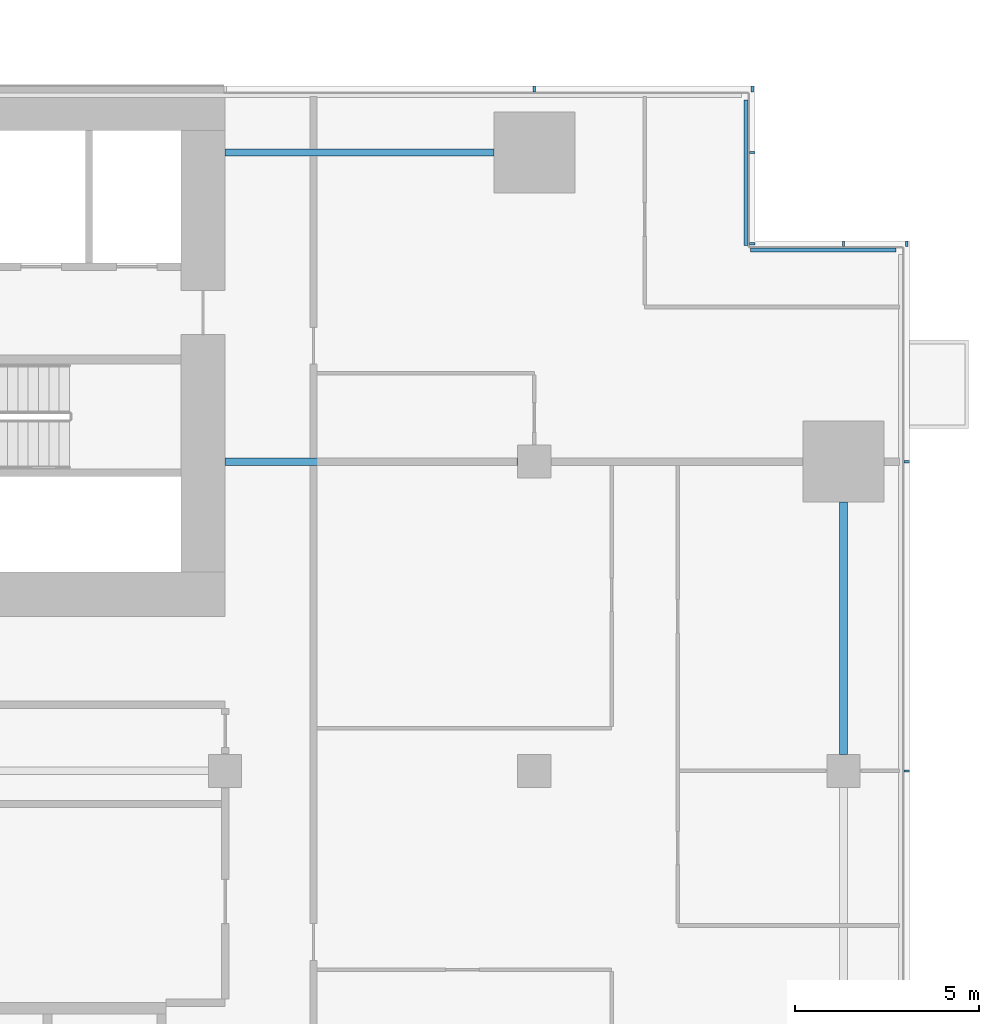
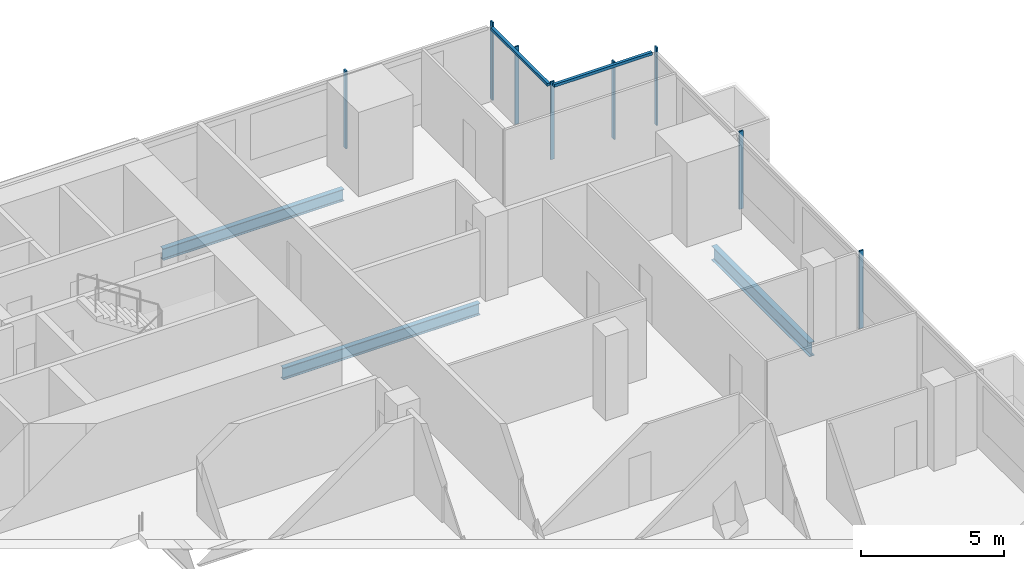
# One storey, part 13 of 26: 10 members, 3 beams, 4 elements without a shape of their own.
"""IFC4 building model written with IfcOpenShell, lengths in metres."""

from ifc_helpers import new_model, si_unit, direction, frame, origin, origin_2d, place, context, subcontext, project, spatial, rectangle, i_section, extrude, material, material_profile, profile_set, type_object, element, aggregate, save


model = new_model("IFC4")

# Units and contexts
model_context = context("Model", 3, precision=1e-05, world=origin(), true_north=direction((0.0, 1.0)))
body_context = subcontext(model_context, "Body", "Model", "MODEL_VIEW")
ifc_project = project(units=[si_unit("LENGTHUNIT", "METRE"), si_unit("AREAUNIT", "SQUARE_METRE"), si_unit("VOLUMEUNIT", "CUBIC_METRE"), si_unit("PLANEANGLEUNIT", "RADIAN"), si_unit("MASSUNIT", "GRAM", prefix="KILO")], contexts=[model_context])

# Site, building, storey
site_placement = place(None, origin())
site = spatial("IfcSite", under=ifc_project, at=site_placement, CompositionType="ELEMENT")
building_placement = place(site_placement, origin())
building = spatial("IfcBuilding", under=site, at=building_placement, Name="Saffron Gate Tower", CompositionType="ELEMENT")
storey_placement = place(building_placement, frame((0.0, 0.0, 62.39990234375)))
storey = spatial("IfcBuildingStorey", under=building, at=storey_placement, Name="L14", CompositionType="ELEMENT", Elevation=62.39990234375)

# Beams
ifc_material_1 = material(Name="Structural steel S355", Category="steel")
ifc_material_profile_1 = material_profile(ifc_material_1, i_section(OverallWidth=0.199951171875, OverallDepth=0.5, WebThickness=0.01025390625, FlangeThickness=0.01611328125, FilletRadius=0.02099609375, at=origin_2d()))
ifc_profile_set_1 = profile_set([ifc_material_profile_1], Name="Structural steel S355")
beam_type_1 = type_object("IfcBeamType", Name="B10 IPE 500", PredefinedType="BEAM", material=ifc_profile_set_1)
beam_1_placement = place(storey_placement, frame((116.550048828125, 65.39990234375, -0.52978515625), z_axis=(-1.0, 0.0, 0.0), x_axis=(0.0, -1.0, 0.0)))
element("IfcBeam", 1, at=beam_1_placement, inside=storey, type_object=beam_type_1, Name="B10 CORE TIE BEAM", PredefinedType="BEAM", context=body_context, shape_type="SweptSolid", body=[
    extrude(i_section(OverallWidth=0.199951171875, OverallDepth=0.5, WebThickness=0.01025390625, FlangeThickness=0.01611328125, FilletRadius=0.02099609375, at=origin_2d()), origin(), (0.0, 0.0, 1.0), 7.949951171875),
])
beam_2_placement = place(storey_placement, frame((115.89990234375, 73.800048828125, -0.52978515625), z_axis=(-1.0, 0.0, 0.0), x_axis=(0.0, -1.0, 0.0)))
element("IfcBeam", 2, at=beam_2_placement, inside=storey, type_object=beam_type_1, Name="B10 CORE TIE BEAM", PredefinedType="BEAM", context=body_context, shape_type="SweptSolid", body=[
    extrude(i_section(OverallWidth=0.199951171875, OverallDepth=0.5, WebThickness=0.01025390625, FlangeThickness=0.01611328125, FilletRadius=0.02099609375, at=origin_2d()), origin(), (0.0, 0.0, 1.0), 7.2998046875),
])
ifc_material_profile_2 = material_profile(ifc_material_1, i_section(OverallWidth=0.219970703125, OverallDepth=0.60009765625, WebThickness=0.011962890625, FlangeThickness=0.01904296875, FilletRadius=0.02392578125, at=origin_2d()))
ifc_profile_set_2 = profile_set([ifc_material_profile_2], Name="Structural steel S355")
beam_type_2 = type_object("IfcBeamType", Name="B16 IPE 600", PredefinedType="SPANDREL", material=ifc_profile_set_2)
beam_3_placement = place(storey_placement, frame((125.39990234375, 57.449951171875, -0.579833984375), z_axis=(0.0, 1.0, 0.0), x_axis=(-1.0, 0.0, 0.0)))
element("IfcBeam", 3, at=beam_3_placement, inside=storey, type_object=beam_type_2, Name="B16 SPANDREL BEAM", PredefinedType="SPANDREL", context=body_context, shape_type="SweptSolid", body=[
    extrude(i_section(OverallWidth=0.219970703125, OverallDepth=0.60009765625, WebThickness=0.011962890625, FlangeThickness=0.01904296875, FilletRadius=0.02392578125, at=origin_2d()), origin(), (0.0, 0.0, 1.0), 6.85009765625),
])

# Curtain wall, members
ifc_material_2 = material(Name="Aluminium, bronze anodised", Category="aluminium")
curtain_wall_type_1 = type_object("IfcCurtainWallType", Name="CWS2 curtain wall side facades", PredefinedType="NOTDEFINED", material=ifc_material_2)
curtain_wall_1_placement = place(storey_placement, origin())
curtain_wall_1 = element("IfcCurtainWall", 4, at=curtain_wall_1_placement, inside=storey, type_object=curtain_wall_type_1, Name="CWS2 run 4", PredefinedType="NOTDEFINED")
ifc_material_profile_3 = material_profile(ifc_material_2, rectangle(XDim=0.159912109375, YDim=0.06005859375, at=origin_2d()))
ifc_profile_set_3 = profile_set([ifc_material_profile_3], Name="Aluminium, bronze anodised")
member_type_1 = type_object("IfcMemberType", Name="CWS2 mullion 60x160", PredefinedType="MULLION", material=ifc_profile_set_3)
member_1_placement = place(storey_placement, frame((127.1201171875, 57.0, 0.0), z_axis=(0.0, 0.0, 1.0), x_axis=(-1.0, 0.0, 0.0)))
member_1 = element("IfcMember", 5, at=member_1_placement, type_object=member_type_1, Name="CWS2 mullion 4", PredefinedType="MULLION", context=body_context, shape_type="SweptSolid", body=[
    extrude(rectangle(XDim=0.159912109375, YDim=0.06005859375, at=origin_2d()), origin(), (0.0, 0.0, 1.0), 3.320068359375),
])
member_2_placement = place(storey_placement, frame((127.1201171875, 65.39990234375, 0.0), z_axis=(0.0, 0.0, 1.0), x_axis=(-1.0, 0.0, 0.0)))
member_2 = element("IfcMember", 6, at=member_2_placement, type_object=member_type_1, Name="CWS2 mullion 5", PredefinedType="MULLION", context=body_context, shape_type="SweptSolid", body=[
    extrude(rectangle(XDim=0.159912109375, YDim=0.06005859375, at=origin_2d()), origin(), (0.0, 0.0, 1.0), 3.320068359375),
])
aggregate(curtain_wall_1, [member_1, member_2])

curtain_wall_type_2 = type_object("IfcCurtainWallType", Name="CWS3 curtain wall rear facade", PredefinedType="NOTDEFINED", material=ifc_material_2)
curtain_wall_2_placement = place(storey_placement, origin())
curtain_wall_2 = element("IfcCurtainWall", 7, at=curtain_wall_2_placement, inside=storey, type_object=curtain_wall_type_2, Name="CWS3 run 7", PredefinedType="NOTDEFINED")
ifc_material_profile_4 = material_profile(ifc_material_2, rectangle(XDim=0.159912109375, YDim=0.070068359375, at=origin_2d()))
ifc_profile_set_4 = profile_set([ifc_material_profile_4], Name="Aluminium, bronze anodised")
member_type_2 = type_object("IfcMemberType", Name="CWS3 mullion 70x160", PredefinedType="MULLION", material=ifc_profile_set_4)
member_3_placement = place(storey_placement, frame((122.919921875, 75.52001953125, 0.0), z_axis=(0.0, 0.0, 1.0), x_axis=(0.0, -1.0, 0.0)))
member_3 = element("IfcMember", 8, at=member_3_placement, type_object=member_type_2, Name="CWS3 mullion 1", PredefinedType="MULLION", context=body_context, shape_type="SweptSolid", body=[
    extrude(rectangle(XDim=0.159912109375, YDim=0.070068359375, at=origin_2d()), origin(), (0.0, 0.0, 1.0), 3.320068359375),
])
member_4_placement = place(storey_placement, frame((117.0, 75.52001953125, 0.0), z_axis=(0.0, 0.0, 1.0), x_axis=(0.0, -1.0, 0.0)))
member_4 = element("IfcMember", 9, at=member_4_placement, type_object=member_type_2, Name="CWS3 mullion 2", PredefinedType="MULLION", context=body_context, shape_type="SweptSolid", body=[
    extrude(rectangle(XDim=0.159912109375, YDim=0.070068359375, at=origin_2d()), origin(), (0.0, 0.0, 1.0), 3.320068359375),
])
aggregate(curtain_wall_2, [member_3, member_4])

# Curtain wall, member
curtain_wall_type_3 = type_object("IfcCurtainWallType", Name="CWS4 curtain wall corner returns", PredefinedType="NOTDEFINED", material=ifc_material_2)
curtain_wall_3_placement = place(storey_placement, origin())
curtain_wall_3 = element("IfcCurtainWall", 10, at=curtain_wall_3_placement, inside=storey, type_object=curtain_wall_type_3, Name="CWS4 run 5", PredefinedType="NOTDEFINED")
ifc_material_profile_5 = material_profile(ifc_material_2, rectangle(XDim=0.1201171875, YDim=0.1201171875, at=origin_2d()))
ifc_profile_set_5 = profile_set([ifc_material_profile_5], Name="Aluminium, bronze anodised")
member_type_3 = type_object("IfcMemberType", Name="CWS4 head transom", PredefinedType="USERDEFINED", material=ifc_profile_set_5)
member_5_placement = place(storey_placement, frame((126.83203125, 71.152099609375, 3.260009765625), z_axis=(-1.0, 0.0, 0.0), x_axis=(0.0, -1.0, 0.0)))
member_5 = element("IfcMember", 11, at=member_5_placement, type_object=member_type_3, Name="CWS4 head transom", ObjectType="TRANSOM", PredefinedType="USERDEFINED", context=body_context, shape_type="SweptSolid", body=[
    extrude(rectangle(XDim=0.1201171875, YDim=0.1201171875, at=origin_2d()), origin(), (0.0, 0.0, 1.0), 3.9599609375),
])

curtain_wall_4_placement = place(storey_placement, origin())
curtain_wall_4 = element("IfcCurtainWall", 12, at=curtain_wall_4_placement, inside=storey, type_object=curtain_wall_type_3, Name="CWS4 run 6", PredefinedType="NOTDEFINED")
member_6_placement = place(storey_placement, frame((122.751953125, 71.27197265625, 3.260009765625), z_axis=(0.0, 1.0, 0.0), x_axis=(-1.0, 0.0, 0.0)))
member_6 = element("IfcMember", 13, at=member_6_placement, type_object=member_type_3, Name="CWS4 head transom", ObjectType="TRANSOM", PredefinedType="USERDEFINED", context=body_context, shape_type="SweptSolid", body=[
    extrude(rectangle(XDim=0.1201171875, YDim=0.1201171875, at=origin_2d()), origin(), (0.0, 0.0, 1.0), 3.9599609375),
])

# Member
ifc_material_profile_6 = material_profile(ifc_material_2, rectangle(XDim=0.159912109375, YDim=0.06005859375, at=origin_2d()))
ifc_profile_set_6 = profile_set([ifc_material_profile_6], Name="Aluminium, bronze anodised")
member_type_4 = type_object("IfcMemberType", Name="CWS4 mullion 60x160", PredefinedType="MULLION", material=ifc_profile_set_6)
member_7_placement = place(storey_placement, frame((127.1201171875, 71.320068359375, 0.0), z_axis=(0.0, 0.0, 1.0), x_axis=(0.0, -1.0, 0.0)))
member_7 = element("IfcMember", 14, at=member_7_placement, type_object=member_type_4, Name="CWS4 mullion 1", PredefinedType="MULLION", context=body_context, shape_type="SweptSolid", body=[
    extrude(rectangle(XDim=0.159912109375, YDim=0.06005859375, at=origin_2d()), origin(), (0.0, 0.0, 1.0), 3.320068359375),
])

member_8_placement = place(storey_placement, frame((125.39990234375, 71.320068359375, 0.0), z_axis=(0.0, 0.0, 1.0), x_axis=(0.0, -1.0, 0.0)))
member_8 = element("IfcMember", 15, at=member_8_placement, type_object=member_type_4, Name="CWS4 mullion 2", PredefinedType="MULLION", context=body_context, shape_type="SweptSolid", body=[
    extrude(rectangle(XDim=0.159912109375, YDim=0.06005859375, at=origin_2d()), origin(), (0.0, 0.0, 1.0), 3.320068359375),
])

aggregate(curtain_wall_3, [member_7, member_8, member_5])

member_9_placement = place(storey_placement, frame((122.919921875, 71.320068359375, 0.0), z_axis=(0.0, 0.0, 1.0), x_axis=(-1.0, 0.0, 0.0)))
member_9 = element("IfcMember", 16, at=member_9_placement, type_object=member_type_4, Name="CWS4 mullion 1", PredefinedType="MULLION", context=body_context, shape_type="SweptSolid", body=[
    extrude(rectangle(XDim=0.159912109375, YDim=0.06005859375, at=origin_2d()), origin(), (0.0, 0.0, 1.0), 3.320068359375),
])

member_10_placement = place(storey_placement, frame((122.919921875, 73.800048828125, 0.0), z_axis=(0.0, 0.0, 1.0), x_axis=(-1.0, 0.0, 0.0)))
member_10 = element("IfcMember", 17, at=member_10_placement, type_object=member_type_4, Name="CWS4 mullion 2", PredefinedType="MULLION", context=body_context, shape_type="SweptSolid", body=[
    extrude(rectangle(XDim=0.159912109375, YDim=0.06005859375, at=origin_2d()), origin(), (0.0, 0.0, 1.0), 3.320068359375),
])

aggregate(curtain_wall_4, [member_9, member_10, member_6])

save(model, "model.ifc")
